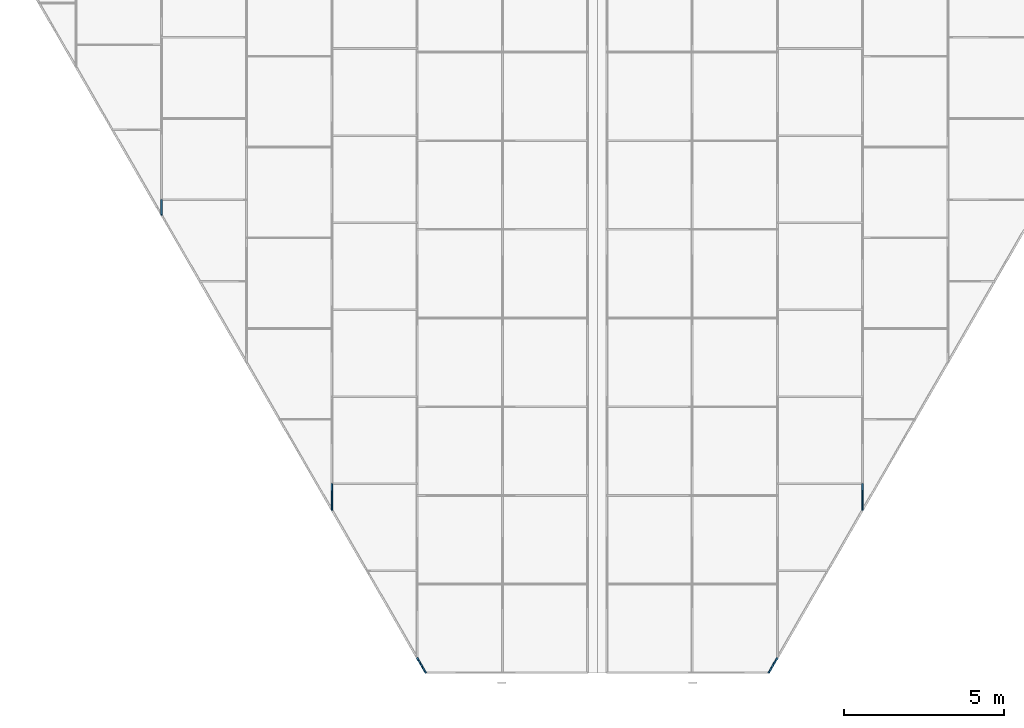
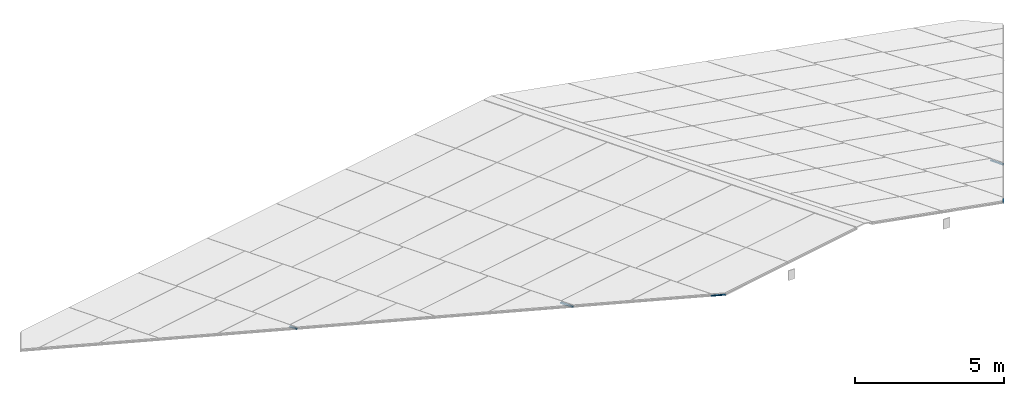
# One storey, part 5 of 12: 5 members, 5 elements without a shape of their own.
"""IFC4 building model written with IfcOpenShell, lengths in metres."""

from ifc_helpers import new_model, si_unit, direction, frame, origin, origin_2d, place, context, subcontext, project, spatial, rectangle, extrude, material, material_profile, profile_set, type_object, element, aggregate, save


model = new_model("IFC4")

# Units and contexts
model_context = context("Model", 3, precision=1e-05, world=origin(), true_north=direction((0.0, 1.0)))
body_context = subcontext(model_context, "Body", "Model", "MODEL_VIEW")
ifc_project = project(units=[si_unit("LENGTHUNIT", "METRE"), si_unit("AREAUNIT", "SQUARE_METRE"), si_unit("VOLUMEUNIT", "CUBIC_METRE"), si_unit("PLANEANGLEUNIT", "RADIAN"), si_unit("MASSUNIT", "GRAM", prefix="KILO")], contexts=[model_context])

# Site, building, storey
site_placement = place(None, origin())
site = spatial("IfcSite", under=ifc_project, at=site_placement, CompositionType="ELEMENT")
building_placement = place(site_placement, origin())
building = spatial("IfcBuilding", under=site, at=building_placement, Name="Aloe Facet Convention Tower", CompositionType="ELEMENT")
storey_placement = place(building_placement, frame((0.0, 0.0, 306.5)))
storey = spatial("IfcBuildingStorey", under=building, at=storey_placement, Name="C6", CompositionType="ELEMENT", Elevation=306.5)

# Curtain wall, member
ifc_material_1 = material(Name="Aluminium, anodised", Category="aluminium")
curtain_wall_type = type_object("IfcCurtainWallType", Name="EV-CW-LANTERN", PredefinedType="USERDEFINED", material=ifc_material_1)
curtain_wall_1_placement = place(storey_placement, origin())
curtain_wall_1 = element("IfcCurtainWall", 1, at=curtain_wall_1_placement, inside=storey, type_object=curtain_wall_type, Name="CW-RW10", ObjectType="ROOF LANTERN GLAZING", PredefinedType="USERDEFINED")
ifc_material_2 = material(Name="Aluminium, anodised", Category="aluminium")
ifc_material_profile = material_profile(ifc_material_2, rectangle(XDim=0.050048828125, YDim=0.0400390625, at=origin_2d()), Name="AL 50x40")
ifc_profile_set = profile_set([ifc_material_profile], Name="Aluminium, anodised")
member_type = type_object("IfcMemberType", Name="EV-MULL-LANTERN", PredefinedType="MULLION", material=ifc_profile_set)
member_1_placement = place(storey_placement, frame((74.624755859375, 109.48046875, 0.15234375), z_axis=(-0.458311246155, 0.794378534249, -0.398639619169), x_axis=(-0.866178063635, -0.499735492113, 0.0)))
member_1 = element("IfcMember", 2, at=member_1_placement, type_object=member_type, Name="Glazing bar W10.3", PredefinedType="MULLION", context=body_context, shape_type="SweptSolid", body=[
    extrude(rectangle(XDim=0.050048828125, YDim=0.0400390625, at=origin_2d()), origin(), (0.0, 0.0, 1.0), 0.589111328125),
])
aggregate(curtain_wall_1, [member_1])

curtain_wall_2_placement = place(storey_placement, origin())
curtain_wall_2 = element("IfcCurtainWall", 3, at=curtain_wall_2_placement, inside=storey, type_object=curtain_wall_type, Name="CW-RW20", ObjectType="ROOF LANTERN GLAZING", PredefinedType="USERDEFINED")
member_2_placement = place(storey_placement, frame((71.681884765625, 114.577880859375, -2.40576171875), z_axis=(0.0, 0.929081004752, -0.369876312583), x_axis=(-1.0, 0.0, 0.0)))
member_2 = element("IfcMember", 4, at=member_2_placement, type_object=member_type, Name="Glazing bar W20.3", PredefinedType="MULLION", context=body_context, shape_type="SweptSolid", body=[
    extrude(rectangle(XDim=0.050048828125, YDim=0.0400390625, at=origin_2d()), origin(), (0.0, 0.0, 1.0), 0.8896484375),
])
aggregate(curtain_wall_2, [member_2])

curtain_wall_3_placement = place(storey_placement, origin())
curtain_wall_3 = element("IfcCurtainWall", 5, at=curtain_wall_3_placement, inside=storey, type_object=curtain_wall_type, Name="CW-RW36", ObjectType="ROOF LANTERN GLAZING", PredefinedType="USERDEFINED")
member_3_placement = place(storey_placement, frame((66.336669921875, 123.836181640625, -7.05224609375), z_axis=(0.0, 0.929076484172, -0.369887667487), x_axis=(-1.0, 0.0, 0.0)))
member_3 = element("IfcMember", 6, at=member_3_placement, type_object=member_type, Name="Glazing bar W36.3", PredefinedType="MULLION", context=body_context, shape_type="SweptSolid", body=[
    extrude(rectangle(XDim=0.050048828125, YDim=0.0400390625, at=origin_2d()), origin(), (0.0, 0.0, 1.0), 0.504150390625),
])
aggregate(curtain_wall_3, [member_3])

curtain_wall_4_placement = place(storey_placement, origin())
curtain_wall_4 = element("IfcCurtainWall", 7, at=curtain_wall_4_placement, inside=storey, type_object=curtain_wall_type, Name="CW-RE10", ObjectType="ROOF LANTERN GLAZING", PredefinedType="USERDEFINED")
member_4_placement = place(storey_placement, frame((85.645263671875, 109.948486328125, -0.08251953125), z_axis=(-0.458311246155, -0.794378534249, 0.398639619169), x_axis=(0.866178063635, -0.499735492113, 0.0)))
member_4 = element("IfcMember", 8, at=member_4_placement, type_object=member_type, Name="Glazing bar E10.1", PredefinedType="MULLION", context=body_context, shape_type="SweptSolid", body=[
    extrude(rectangle(XDim=0.050048828125, YDim=0.0400390625, at=origin_2d()), origin(), (0.0, 0.0, 1.0), 0.589111328125),
])
aggregate(curtain_wall_4, [member_4])

curtain_wall_5_placement = place(storey_placement, origin())
curtain_wall_5 = element("IfcCurtainWall", 9, at=curtain_wall_5_placement, inside=storey, type_object=curtain_wall_type, Name="CW-RE20", ObjectType="ROOF LANTERN GLAZING", PredefinedType="USERDEFINED")
member_5_placement = place(storey_placement, frame((88.318115234375, 115.404541015625, -2.73486328125), z_axis=(0.0, -0.929081004752, 0.369876312583), x_axis=(1.0, 0.0, 0.0)))
member_5 = element("IfcMember", 10, at=member_5_placement, type_object=member_type, Name="Glazing bar E20.3", PredefinedType="MULLION", context=body_context, shape_type="SweptSolid", body=[
    extrude(rectangle(XDim=0.050048828125, YDim=0.0400390625, at=origin_2d()), origin(), (0.0, 0.0, 1.0), 0.8896484375),
])
aggregate(curtain_wall_5, [member_5])

save(model, "model.ifc")
